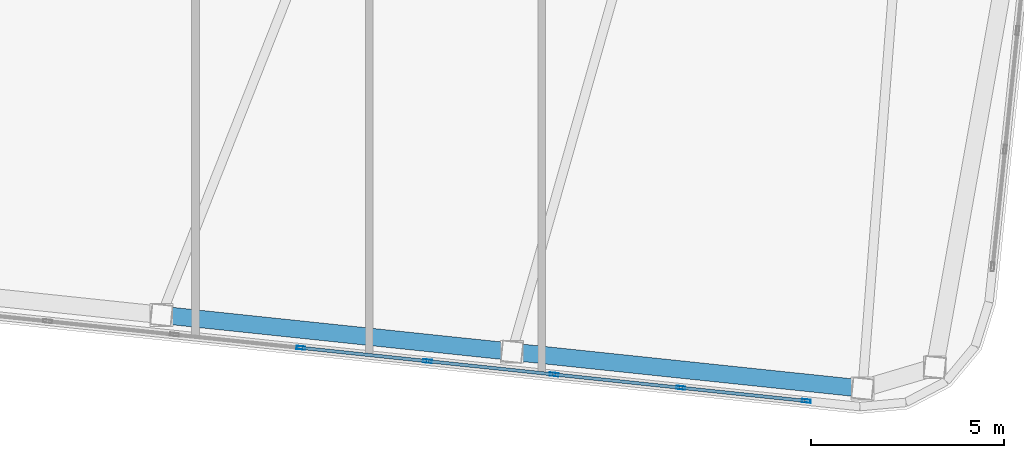
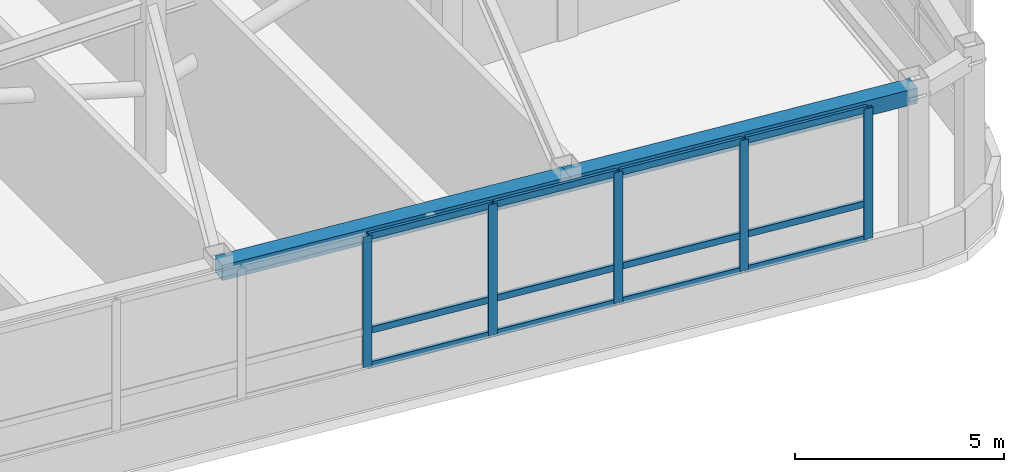
# One storey, part 9 of 23: 17 members, 2 beams, 1 element without a shape of its own.
"""IFC4 building model written with IfcOpenShell, lengths in metres."""

from ifc_helpers import new_model, si_unit, direction, frame, origin, origin_2d, place, context, subcontext, project, spatial, hollow_rectangle, extrude, material, layer, layer_set, material_profile, profile_set, type_object, element, aggregate, save


model = new_model("IFC4")

# Units and contexts
model_context = context("Model", 3, precision=1e-05, world=origin(), true_north=direction((0.0, 1.0)))
body_context = subcontext(model_context, "Body", "Model", "MODEL_VIEW")
ifc_project = project(units=[si_unit("LENGTHUNIT", "METRE"), si_unit("AREAUNIT", "SQUARE_METRE"), si_unit("VOLUMEUNIT", "CUBIC_METRE"), si_unit("PLANEANGLEUNIT", "RADIAN"), si_unit("MASSUNIT", "GRAM", prefix="KILO")], contexts=[model_context])

# Site, building, storey
site_placement = place(None, origin())
site = spatial("IfcSite", under=ifc_project, at=site_placement, CompositionType="ELEMENT")
building_placement = place(site_placement, origin())
building = spatial("IfcBuilding", under=site, at=building_placement, Name="Voryun Gate Residences", CompositionType="ELEMENT")
storey_placement = place(building_placement, frame((0.0, 0.0, 326.60009765625)))
storey = spatial("IfcBuildingStorey", under=building, at=storey_placement, Name="L80", CompositionType="ELEMENT", Elevation=326.60009765625)

# Beams
ifc_material_1 = material(Name="Steel SM355", Category="steel")
ifc_material_profile_1 = material_profile(ifc_material_1, hollow_rectangle(XDim=0.449951171875, YDim=0.449951171875, WallThickness=0.01806640625, at=origin_2d()), Name="BOX-450x450x18")
ifc_profile_set_1 = profile_set([ifc_material_profile_1], Name="Steel SM355")
beam_type = type_object("IfcBeamType", Name="BM_CROWN_RING", PredefinedType="BEAM", material=ifc_profile_set_1)
for number, where, z_axis, x_axis, name in (
    (1, (0.121337890625, -17.731689453125, 4.7998046875), (0.994523919568, -0.104509202498, 0.0), (0.104509202498, 0.994523919568, 0.0), "BM-L80-SPAND-04"),
    (2, (9.19140625, -18.684814453125, 4.7998046875), (0.994521136856, -0.104535679778, 0.0), (0.104535679778, 0.994521136856, 0.0), "BM-L80-SPAND-05"),
):
    element("IfcBeam", number, at=place(storey_placement, frame(where, z_axis=z_axis, x_axis=x_axis)), inside=storey, type_object=beam_type, Name=name, PredefinedType="BEAM", context=body_context, shape_type="SweptSolid", body=[
        extrude(hollow_rectangle(XDim=0.449951171875, YDim=0.449951171875, WallThickness=0.01806640625, at=origin_2d()), origin(), (0.0, 0.0, 1.0), 9.1201171875),
    ])

# Curtain wall, members
ifc_material_2 = material(Name="Anodised aluminium", Category="aluminium")
ifc_layer = layer(ifc_material_2, 0.22998046875, Name="CW_SYS_LANTERN_DARK_GLASS")
ifc_layer_set = layer_set([ifc_layer], Name="Anodised aluminium")
curtain_wall_type = type_object("IfcCurtainWallType", Name="CW_SYS_LANTERN_DARK_GLASS", PredefinedType="NOTDEFINED", material=ifc_layer_set)
curtain_wall_placement = place(storey_placement, origin())
curtain_wall = element("IfcCurtainWall", 3, at=curtain_wall_placement, inside=storey, type_object=curtain_wall_type, Name="Curtain wall CW6-L80-01", PredefinedType="NOTDEFINED")
ifc_material_3 = material(Name="Anodised aluminium", Category="aluminium")
ifc_material_profile_2 = material_profile(ifc_material_3, hollow_rectangle(XDim=0.0849609375, YDim=0.22998046875, WallThickness=0.006103515625, at=origin_2d()), Name="ALU-MULL-230x85x6")
ifc_profile_set_2 = profile_set([ifc_material_profile_2], Name="Anodised aluminium")
member_type_1 = type_object("IfcMemberType", Name="CW_MULL_LANT", PredefinedType="MULLION", material=ifc_profile_set_2)
member_1_placement = place(storey_placement, frame((16.8056640625, -19.957763671875, 1.18994140625), z_axis=(0.0, 0.0, 1.0), x_axis=(-0.10452775858, -0.994521969434, 0.0)))
member_1 = element("IfcMember", 4, at=member_1_placement, type_object=member_type_1, Name="CW6 mullion 1", PredefinedType="MULLION", context=body_context, shape_type="SweptSolid", body=[
    extrude(hollow_rectangle(XDim=0.0849609375, YDim=0.22998046875, WallThickness=0.006103515625, at=origin_2d()), origin(), (0.0, 0.0, 1.0), 3.8349609375),
])
member_2_placement = place(storey_placement, frame((13.558837890625, -19.616455078125, 1.18994140625), z_axis=(0.0, 0.0, 1.0), x_axis=(-0.10452775858, -0.994521969434, 0.0)))
member_2 = element("IfcMember", 5, at=member_2_placement, type_object=member_type_1, Name="CW6 mullion 2", PredefinedType="MULLION", context=body_context, shape_type="SweptSolid", body=[
    extrude(hollow_rectangle(XDim=0.0849609375, YDim=0.22998046875, WallThickness=0.006103515625, at=origin_2d()), origin(), (0.0, 0.0, 1.0), 3.8349609375),
])
member_3_placement = place(storey_placement, frame((10.2822265625, -19.272216796875, 1.18994140625), z_axis=(0.0, 0.0, 1.0), x_axis=(-0.10452775858, -0.994521969434, 0.0)))
member_3 = element("IfcMember", 6, at=member_3_placement, type_object=member_type_1, Name="CW6 mullion 3", PredefinedType="MULLION", context=body_context, shape_type="SweptSolid", body=[
    extrude(hollow_rectangle(XDim=0.0849609375, YDim=0.22998046875, WallThickness=0.006103515625, at=origin_2d()), origin(), (0.0, 0.0, 1.0), 3.8349609375),
])
member_4_placement = place(storey_placement, frame((7.005615234375, -18.927734375, 1.18994140625), z_axis=(0.0, 0.0, 1.0), x_axis=(-0.10452775858, -0.994521969434, 0.0)))
member_4 = element("IfcMember", 7, at=member_4_placement, type_object=member_type_1, Name="CW6 mullion 4", PredefinedType="MULLION", context=body_context, shape_type="SweptSolid", body=[
    extrude(hollow_rectangle(XDim=0.0849609375, YDim=0.22998046875, WallThickness=0.006103515625, at=origin_2d()), origin(), (0.0, 0.0, 1.0), 3.8349609375),
])
member_5_placement = place(storey_placement, frame((3.72900390625, -18.583251953125, 1.18994140625), z_axis=(0.0, 0.0, 1.0), x_axis=(-0.10452775858, -0.994521969434, 0.0)))
member_5 = element("IfcMember", 8, at=member_5_placement, type_object=member_type_1, Name="CW6 mullion 5", PredefinedType="MULLION", context=body_context, shape_type="SweptSolid", body=[
    extrude(hollow_rectangle(XDim=0.0849609375, YDim=0.22998046875, WallThickness=0.006103515625, at=origin_2d()), origin(), (0.0, 0.0, 1.0), 3.8349609375),
])
ifc_material_4 = material(Name="Anodised aluminium", Category="aluminium")
ifc_material_profile_3 = material_profile(ifc_material_4, hollow_rectangle(XDim=0.0849609375, YDim=0.18994140625, WallThickness=0.006103515625, at=origin_2d()), Name="ALU-TRAN-190x85x6")
ifc_profile_set_3 = profile_set([ifc_material_profile_3], Name="Anodised aluminium")
member_type_2 = type_object("IfcMemberType", Name="CW_TRAN_LANT", PredefinedType="USERDEFINED", material=ifc_profile_set_3)
member_6_placement = place(storey_placement, frame((16.775634765625, -19.95458984375, 1.219970703125), z_axis=(-0.994522138405, 0.104526150903, 0.0), x_axis=(-0.104526150903, -0.994522138405, 0.0)))
member_6 = element("IfcMember", 9, at=member_6_placement, type_object=member_type_2, Name="CW6 transom 1.1", ObjectType="TRANSOM", PredefinedType="USERDEFINED", context=body_context, shape_type="SweptSolid", body=[
    extrude(hollow_rectangle(XDim=0.0849609375, YDim=0.18994140625, WallThickness=0.006103515625, at=origin_2d()), origin(), (0.0, 0.0, 1.0), 3.20458984375),
])
member_7_placement = place(storey_placement, frame((16.775634765625, -19.95458984375, 2.239990234375), z_axis=(-0.994522138405, 0.104526150903, 0.0), x_axis=(-0.104526150903, -0.994522138405, 0.0)))
member_7 = element("IfcMember", 10, at=member_7_placement, type_object=member_type_2, Name="CW6 transom 1.2", ObjectType="TRANSOM", PredefinedType="USERDEFINED", context=body_context, shape_type="SweptSolid", body=[
    extrude(hollow_rectangle(XDim=0.0849609375, YDim=0.18994140625, WallThickness=0.006103515625, at=origin_2d()), origin(), (0.0, 0.0, 1.0), 3.20458984375),
])
member_8_placement = place(storey_placement, frame((16.775634765625, -19.95458984375, 4.994873046875), z_axis=(-0.994522138405, 0.104526150903, 0.0), x_axis=(-0.104526150903, -0.994522138405, 0.0)))
member_8 = element("IfcMember", 11, at=member_8_placement, type_object=member_type_2, Name="CW6 transom 1.3", ObjectType="TRANSOM", PredefinedType="USERDEFINED", context=body_context, shape_type="SweptSolid", body=[
    extrude(hollow_rectangle(XDim=0.0849609375, YDim=0.18994140625, WallThickness=0.006103515625, at=origin_2d()), origin(), (0.0, 0.0, 1.0), 3.20458984375),
])
member_9_placement = place(storey_placement, frame((13.529052734375, -19.61328125, 1.219970703125), z_axis=(-0.994521569819, 0.104531560613, 0.0), x_axis=(-0.104531560613, -0.994521569819, 0.0)))
member_9 = element("IfcMember", 12, at=member_9_placement, type_object=member_type_2, Name="CW6 transom 2.1", ObjectType="TRANSOM", PredefinedType="USERDEFINED", context=body_context, shape_type="SweptSolid", body=[
    extrude(hollow_rectangle(XDim=0.0849609375, YDim=0.18994140625, WallThickness=0.006103515625, at=origin_2d()), origin(), (0.0, 0.0, 1.0), 3.23486328125),
])
member_10_placement = place(storey_placement, frame((13.529052734375, -19.61328125, 2.239990234375), z_axis=(-0.994521569819, 0.104531560613, 0.0), x_axis=(-0.104531560613, -0.994521569819, 0.0)))
member_10 = element("IfcMember", 13, at=member_10_placement, type_object=member_type_2, Name="CW6 transom 2.2", ObjectType="TRANSOM", PredefinedType="USERDEFINED", context=body_context, shape_type="SweptSolid", body=[
    extrude(hollow_rectangle(XDim=0.0849609375, YDim=0.18994140625, WallThickness=0.006103515625, at=origin_2d()), origin(), (0.0, 0.0, 1.0), 3.23486328125),
])
member_11_placement = place(storey_placement, frame((13.529052734375, -19.61328125, 4.994873046875), z_axis=(-0.994521569819, 0.104531560613, 0.0), x_axis=(-0.104531560613, -0.994521569819, 0.0)))
member_11 = element("IfcMember", 14, at=member_11_placement, type_object=member_type_2, Name="CW6 transom 2.3", ObjectType="TRANSOM", PredefinedType="USERDEFINED", context=body_context, shape_type="SweptSolid", body=[
    extrude(hollow_rectangle(XDim=0.0849609375, YDim=0.18994140625, WallThickness=0.006103515625, at=origin_2d()), origin(), (0.0, 0.0, 1.0), 3.23486328125),
])
member_12_placement = place(storey_placement, frame((10.252197265625, -19.26904296875, 1.219970703125), z_axis=(-0.994520745033, 0.104539407398, 0.0), x_axis=(-0.104539407398, -0.994520745033, 0.0)))
member_12 = element("IfcMember", 15, at=member_12_placement, type_object=member_type_2, Name="CW6 transom 3.1", ObjectType="TRANSOM", PredefinedType="USERDEFINED", context=body_context, shape_type="SweptSolid", body=[
    extrude(hollow_rectangle(XDim=0.0849609375, YDim=0.18994140625, WallThickness=0.006103515625, at=origin_2d()), origin(), (0.0, 0.0, 1.0), 3.234619140625),
])
member_13_placement = place(storey_placement, frame((10.252197265625, -19.26904296875, 2.239990234375), z_axis=(-0.994520745033, 0.104539407398, 0.0), x_axis=(-0.104539407398, -0.994520745033, 0.0)))
member_13 = element("IfcMember", 16, at=member_13_placement, type_object=member_type_2, Name="CW6 transom 3.2", ObjectType="TRANSOM", PredefinedType="USERDEFINED", context=body_context, shape_type="SweptSolid", body=[
    extrude(hollow_rectangle(XDim=0.0849609375, YDim=0.18994140625, WallThickness=0.006103515625, at=origin_2d()), origin(), (0.0, 0.0, 1.0), 3.234619140625),
])
member_14_placement = place(storey_placement, frame((10.252197265625, -19.26904296875, 4.994873046875), z_axis=(-0.994520745033, 0.104539407398, 0.0), x_axis=(-0.104539407398, -0.994520745033, 0.0)))
member_14 = element("IfcMember", 17, at=member_14_placement, type_object=member_type_2, Name="CW6 transom 3.3", ObjectType="TRANSOM", PredefinedType="USERDEFINED", context=body_context, shape_type="SweptSolid", body=[
    extrude(hollow_rectangle(XDim=0.0849609375, YDim=0.18994140625, WallThickness=0.006103515625, at=origin_2d()), origin(), (0.0, 0.0, 1.0), 3.234619140625),
])
member_15_placement = place(storey_placement, frame((6.9755859375, -18.924560546875, 1.219970703125), z_axis=(-0.994520745033, 0.104539407398, 0.0), x_axis=(-0.104539407398, -0.994520745033, 0.0)))
member_15 = element("IfcMember", 18, at=member_15_placement, type_object=member_type_2, Name="CW6 transom 4.1", ObjectType="TRANSOM", PredefinedType="USERDEFINED", context=body_context, shape_type="SweptSolid", body=[
    extrude(hollow_rectangle(XDim=0.0849609375, YDim=0.18994140625, WallThickness=0.006103515625, at=origin_2d()), origin(), (0.0, 0.0, 1.0), 3.234619140625),
])
member_16_placement = place(storey_placement, frame((6.9755859375, -18.924560546875, 2.239990234375), z_axis=(-0.994520745033, 0.104539407398, 0.0), x_axis=(-0.104539407398, -0.994520745033, 0.0)))
member_16 = element("IfcMember", 19, at=member_16_placement, type_object=member_type_2, Name="CW6 transom 4.2", ObjectType="TRANSOM", PredefinedType="USERDEFINED", context=body_context, shape_type="SweptSolid", body=[
    extrude(hollow_rectangle(XDim=0.0849609375, YDim=0.18994140625, WallThickness=0.006103515625, at=origin_2d()), origin(), (0.0, 0.0, 1.0), 3.234619140625),
])
member_17_placement = place(storey_placement, frame((6.9755859375, -18.924560546875, 4.994873046875), z_axis=(-0.994520745033, 0.104539407398, 0.0), x_axis=(-0.104539407398, -0.994520745033, 0.0)))
member_17 = element("IfcMember", 20, at=member_17_placement, type_object=member_type_2, Name="CW6 transom 4.3", ObjectType="TRANSOM", PredefinedType="USERDEFINED", context=body_context, shape_type="SweptSolid", body=[
    extrude(hollow_rectangle(XDim=0.0849609375, YDim=0.18994140625, WallThickness=0.006103515625, at=origin_2d()), origin(), (0.0, 0.0, 1.0), 3.234619140625),
])
aggregate(curtain_wall, [member_1, member_2, member_3, member_4, member_5, member_6, member_7, member_8, member_9, member_10, member_11, member_12, member_13, member_14, member_15, member_16, member_17])

save(model, "model.ifc")
